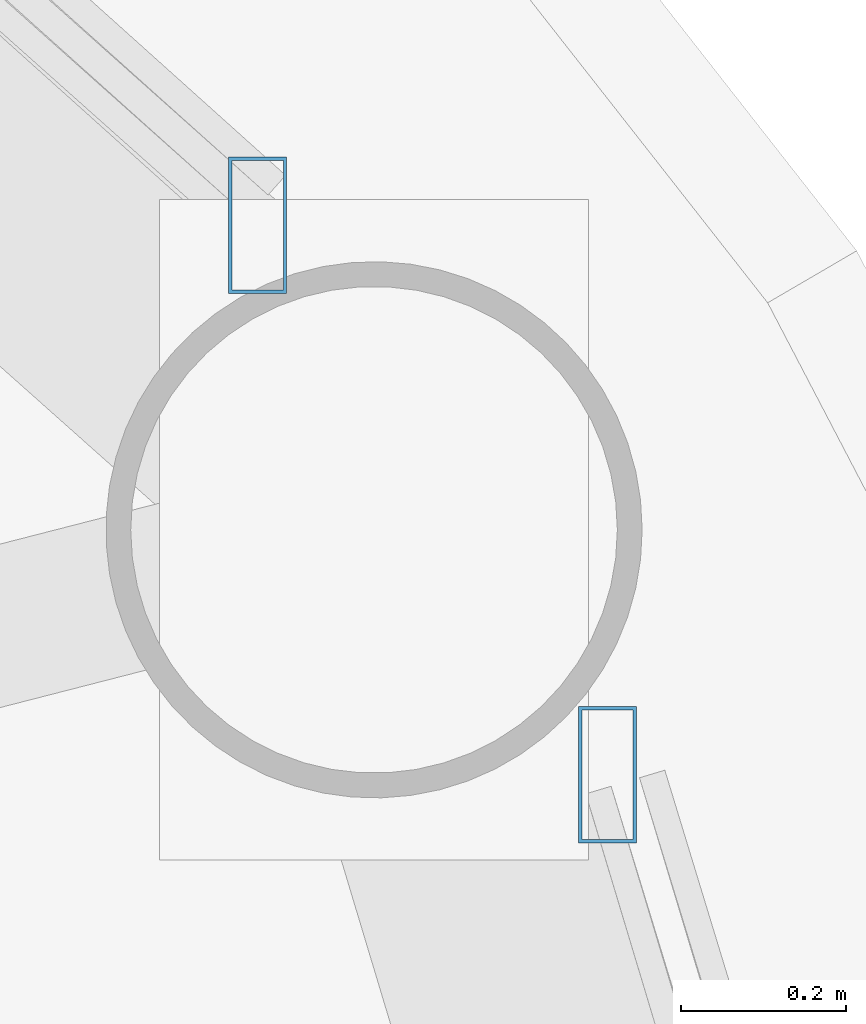
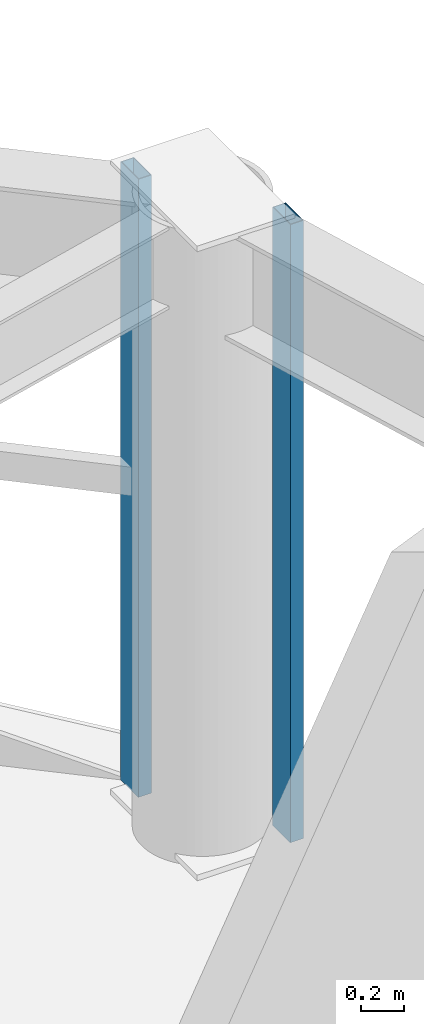
# One storey, part 16 of 30: 2 members, 2 elements without a shape of their own.
"""IFC4 building model written with IfcOpenShell, lengths in metres."""

import ifcopenshell
import ifcopenshell.guid

model = None  # the IFC model being written
_history = None  # IfcOwnerHistory: only IFC2X3 demands one
_inside = {}  # id of a spatial element -> (the spatial element, [elements in it])
_under = {}  # id of a project, library or spatial element -> (it, [spatial elements below it])
_declared = {}  # id of a project -> (the project, [libraries it declares])
_typed = {}  # id of a type object -> (the type object, [elements of that type])
_made_of = {}  # id of a material, layer set ... -> (it, [elements and type objects made of it])


def new_model(schema):
    """Start an empty IFC model of exactly this schema.

    Asked for "IFC4X3", IfcOpenShell would pick the latest addendum, in which some entities
    have other attributes; the version numbers below select the first issue.
    IFC2X3 requires an IfcOwnerHistory on every rooted entity: one is made here for all.
    """
    global model, _history
    if schema == "IFC4X3":
        model = ifcopenshell.file(schema_version=(4, 3, 0, 0))
    else:
        model = ifcopenshell.file(schema=schema)
    _inside.clear()
    _under.clear()
    _declared.clear()
    _typed.clear()
    _made_of.clear()
    _history = None
    if model.schema == "IFC2X3":
        org = make("IfcOrganization", Name="unknown")
        user = make(
            "IfcPersonAndOrganization",
            ThePerson=make("IfcPerson", FamilyName="unknown"),
            TheOrganization=org,
        )
        app = make(
            "IfcApplication",
            ApplicationDeveloper=org,
            Version="unknown",
            ApplicationFullName="unknown",
            ApplicationIdentifier="unknown",
        )
        _history = make(
            "IfcOwnerHistory",
            OwningUser=user,
            OwningApplication=app,
            ChangeAction="ADDED",
            CreationDate=0,
        )
    return model


def make(cls, **values):
    """One entity of the class cls with the attributes given. An attribute that is None is left unset."""
    return model.create_entity(
        cls, **{name: value for name, value in values.items() if value is not None}
    )


def rooted(cls, **values):
    """An entity with a GlobalId (a new one), such as an element, a storey or a relation."""
    return make(cls, GlobalId=ifcopenshell.guid.new(), OwnerHistory=_history, **values)


def si_unit(unit_type, name, prefix=None):
    """IfcSIUnit, for example si_unit("LENGTHUNIT", "METRE", prefix="MILLI")."""
    return make("IfcSIUnit", UnitType=unit_type, Prefix=prefix, Name=name)


def assignment(units):
    """IfcUnitAssignment: the units of a project."""
    return None if units is None else make("IfcUnitAssignment", Units=units)


def point(xyz):
    """IfcCartesianPoint."""
    return None if xyz is None else make("IfcCartesianPoint", Coordinates=xyz)


def direction(xyz):
    """IfcDirection."""
    return None if xyz is None else make("IfcDirection", DirectionRatios=xyz)


def frame(location, z_axis=None, x_axis=None):
    """IfcAxis2Placement3D, a coordinate frame: its origin and axes. An axis left out is left unset."""
    return make(
        "IfcAxis2Placement3D",
        Location=point(location),
        Axis=direction(z_axis),
        RefDirection=direction(x_axis),
    )


def frame_2d(location, x_axis=None):
    """IfcAxis2Placement2D, a coordinate frame in the plane: its origin and x axis."""
    return make(
        "IfcAxis2Placement2D", Location=point(location), RefDirection=direction(x_axis)
    )


def origin():
    """The frame at (0, 0, 0) with its axes left unset."""
    return frame((0.0, 0.0, 0.0))


def origin_2d():
    """The frame at (0, 0) in the plane with its x axis left unset."""
    return frame_2d((0.0, 0.0))


def place(relative_to, where):
    """IfcLocalPlacement: puts the frame where relative to a parent placement (None: the world)."""
    return make(
        "IfcLocalPlacement", PlacementRelTo=relative_to, RelativePlacement=where
    )


def context(
    kind, dimensions, precision=None, world=None, true_north=None, identifier=None
):
    """IfcGeometricRepresentationContext, for example the 3D "Model" context."""
    return make(
        "IfcGeometricRepresentationContext",
        ContextIdentifier=identifier,
        ContextType=kind,
        CoordinateSpaceDimension=dimensions,
        Precision=precision,
        WorldCoordinateSystem=world,
        TrueNorth=true_north,
    )


def subcontext(parent, identifier, kind, view, scale=None):
    """IfcGeometricRepresentationSubContext, for example "Body" below "Model"."""
    return make(
        "IfcGeometricRepresentationSubContext",
        ContextIdentifier=identifier,
        ContextType=kind,
        ParentContext=parent,
        TargetScale=scale,
        TargetView=view,
    )


def project(units=None, contexts=None):
    """IfcProject with its units and contexts."""
    return rooted(
        "IfcProject",
        Name="project",
        RepresentationContexts=contexts,
        UnitsInContext=assignment(units),
    )


def spatial(cls, under=None, at=None, **own):
    """A site, building, storey or space (cls), placed at a placement, below another one or the project."""
    s = rooted(cls, ObjectPlacement=at, **own)
    if under is not None:
        _under.setdefault(under.id(), (under, []))[1].append(s)
    return s


def profile(cls, at=None, kind="AREA", **sizes):
    """A parametric profile (cls). Its sizes go by their IFC names, for example OverallWidth=200.0."""
    return make(cls, ProfileType=kind, Position=at, **sizes)


def hollow_rectangle(**sizes):
    """IfcRectangleHollowProfileDef."""
    return profile("IfcRectangleHollowProfileDef", **sizes)


def extrude(swept, where, along, depth):
    """IfcExtrudedAreaSolid: the profile swept, set in the frame where, extruded along a direction by depth."""
    return make(
        "IfcExtrudedAreaSolid",
        SweptArea=swept,
        Position=where,
        ExtrudedDirection=direction(along),
        Depth=depth,
    )


def shape(context_of_items, identifier, shape_type, items):
    """IfcShapeRepresentation: the items that make up one representation, for example the "Body"."""
    return make(
        "IfcShapeRepresentation",
        ContextOfItems=context_of_items,
        RepresentationIdentifier=identifier,
        RepresentationType=shape_type,
        Items=items,
    )


def material(Name=None, Category=None):
    """IfcMaterial."""
    return make("IfcMaterial", Name=Name, Category=Category)


def layer(
    of_material, thickness, ventilated=None, Name=None, Category=None, Priority=None
):
    """IfcMaterialLayer: one layer of a wall or slab, of a material (None: an air gap)."""
    return make(
        "IfcMaterialLayer",
        Material=of_material,
        LayerThickness=thickness,
        IsVentilated=ventilated,
        Name=Name,
        Category=Category,
        Priority=Priority,
    )


def layer_set(layers, Name=None):
    """IfcMaterialLayerSet."""
    return make("IfcMaterialLayerSet", MaterialLayers=layers, LayerSetName=Name)


def material_profile(
    of_material, cross_section, Name=None, Category=None, Priority=None
):
    """IfcMaterialProfile: a cross section and its material."""
    return make(
        "IfcMaterialProfile",
        Name=Name,
        Material=of_material,
        Profile=cross_section,
        Priority=Priority,
        Category=Category,
    )


def profile_set(profiles, Name=None, composite=None):
    """IfcMaterialProfileSet."""
    return make(
        "IfcMaterialProfileSet",
        Name=Name,
        MaterialProfiles=profiles,
        CompositeProfile=composite,
    )


def made_of(thing, what):
    """Note that an element or type object is made of a material, layer set ...; save() writes the relation."""
    if what is not None:
        _made_of.setdefault(what.id(), (what, []))[1].append(thing)
    return thing


def type_object(cls, material=None, **own):
    """A type object (cls), such as IfcWallType, which elements share."""
    return made_of(rooted(cls, **own), material)


def element(
    cls,
    number,
    at=None,
    inside=None,
    cuts=None,
    type_object=None,
    material=None,
    context=None,
    identifier="Body",
    shape_type=None,
    held_by="IfcProductDefinitionShape",
    body=None,
    shapes=None,
    **own,
):
    """One element of the class cls, such as IfcWall. Its Tag is "e" and its number.

    at: its placement. inside: the storey or other place that contains it. cuts: it is an
    opening in that element (IfcRelVoidsElement). A single representation is given by context,
    identifier, shape_type and body (its items); several are given by shapes. held_by: the class
    of the entity that holds the representations. save() writes the other relations.
    """
    e = rooted(cls, Tag="e%d" % number, ObjectPlacement=at, **own)
    if body is not None:
        shapes = [shape(context, identifier, shape_type, body)]
    if shapes is not None:
        e.Representation = make(held_by, Representations=shapes)
    if inside is not None:
        _inside.setdefault(inside.id(), (inside, []))[1].append(e)
    if cuts is not None:
        rooted(
            "IfcRelVoidsElement", RelatingBuildingElement=cuts, RelatedOpeningElement=e
        )
    if type_object is not None:
        _typed.setdefault(type_object.id(), (type_object, []))[1].append(e)
    return made_of(e, material)


def aggregate(whole, parts):
    """IfcRelAggregates: a whole, such as a stair, and the parts it consists of."""
    return rooted("IfcRelAggregates", RelatingObject=whole, RelatedObjects=parts)


def save(model, path):
    """Write the relations noted so far, then the file.

    IfcRelAggregates (storeys below a building ...), IfcRelContainedInSpatialStructure (elements
    in a storey), IfcRelDefinesByType, IfcRelAssociatesMaterial and IfcRelDeclares: one each for
    every whole, place, type object, material and project.
    """
    for whole, parts in _under.values():
        aggregate(whole, parts)
    for where, things in _inside.values():
        rooted(
            "IfcRelContainedInSpatialStructure",
            RelatedElements=things,
            RelatingStructure=where,
        )
    for kind, things in _typed.values():
        rooted("IfcRelDefinesByType", RelatedObjects=things, RelatingType=kind)
    for what, things in _made_of.values():
        rooted("IfcRelAssociatesMaterial", RelatedObjects=things, RelatingMaterial=what)
    for by, libraries in _declared.values():
        rooted("IfcRelDeclares", RelatingContext=by, RelatedDefinitions=libraries)
    model.write(path)


model = new_model("IFC4")

# Units and contexts
model_context = context("Model", 3, precision=1e-05, world=origin(), true_north=direction((0.0, 1.0)))
body_context = subcontext(model_context, "Body", "Model", "MODEL_VIEW")
ifc_project = project(units=[si_unit("LENGTHUNIT", "METRE"), si_unit("AREAUNIT", "SQUARE_METRE"), si_unit("VOLUMEUNIT", "CUBIC_METRE"), si_unit("PLANEANGLEUNIT", "RADIAN"), si_unit("MASSUNIT", "GRAM", prefix="KILO")], contexts=[model_context])

# Site, building, storey
site_placement = place(None, origin())
site = spatial("IfcSite", under=ifc_project, at=site_placement, CompositionType="ELEMENT")
building_placement = place(site_placement, origin())
building = spatial("IfcBuilding", under=site, at=building_placement, Name="Vantalir Tower", CompositionType="ELEMENT")
storey_placement = place(building_placement, frame((0.0, 0.0, 201.14990234375)))
storey = spatial("IfcBuildingStorey", under=building, at=storey_placement, Name="L50", CompositionType="ELEMENT", Elevation=201.14990234375)

# Curtain wall, member
ifc_material_1 = material(Name="Champagne-silver PVDF aluminium and double-silver Low-E glass", Category="aluminium")
ifc_layer = layer(ifc_material_1, 0.2099609375)
ifc_layer_set = layer_set([ifc_layer], Name="Champagne-silver PVDF aluminium and double-silver Low-E glass")
curtain_wall_type = type_object("IfcCurtainWallType", Name="CW-DIAMOND-Z3", PredefinedType="USERDEFINED", material=ifc_layer_set)
curtain_wall_1_placement = place(storey_placement, origin())
curtain_wall_1 = element("IfcCurtainWall", 1, at=curtain_wall_1_placement, inside=storey, type_object=curtain_wall_type, Name="L50 Quilted Pyramid-Diamond Curtain Wall S01", ObjectType="UNITISED CURTAIN WALL", PredefinedType="USERDEFINED")
ifc_material_2 = material(Name="Champagne-silver PVDF aluminium 6063-T6", Category="aluminium")
ifc_material_profile = material_profile(ifc_material_2, hollow_rectangle(XDim=0.070068359375, YDim=0.1650390625, WallThickness=0.00390625, at=origin_2d()), Name="Champagne-silver PVDF aluminium 6063-T6")
ifc_profile_set = profile_set([ifc_material_profile], Name="Champagne-silver PVDF aluminium 6063-T6")
member_type = type_object("IfcMemberType", Name="CWM-165x70", PredefinedType="MULLION", material=ifc_profile_set)
member_1_placement = place(storey_placement, frame((51.166015625, 34.6650390625, 0.045166015625), z_axis=(0.0, 0.0, 1.0), x_axis=(1.0, 0.0, 0.0)))
member_1 = element("IfcMember", 2, at=member_1_placement, type_object=member_type, Name="CW-L50-S01 Mullion 2", PredefinedType="MULLION", context=body_context, shape_type="SweptSolid", body=[
    extrude(hollow_rectangle(XDim=0.070068359375, YDim=0.1650390625, WallThickness=0.00390625, at=origin_2d()), origin(), (0.0, 0.0, 1.0), 3.47998046875),
])
aggregate(curtain_wall_1, [member_1])

curtain_wall_2_placement = place(storey_placement, origin())
curtain_wall_2 = element("IfcCurtainWall", 3, at=curtain_wall_2_placement, inside=storey, type_object=curtain_wall_type, Name="L50 Quilted Pyramid-Diamond Curtain Wall S02", ObjectType="UNITISED CURTAIN WALL", PredefinedType="USERDEFINED")
member_2_placement = place(storey_placement, frame((50.741943359375, 35.3310546875, 0.045166015625), z_axis=(0.0, 0.0, 1.0), x_axis=(1.0, 0.0, 0.0)))
member_2 = element("IfcMember", 4, at=member_2_placement, type_object=member_type, Name="CW-L50-S02 Mullion 1", PredefinedType="MULLION", context=body_context, shape_type="SweptSolid", body=[
    extrude(hollow_rectangle(XDim=0.070068359375, YDim=0.1650390625, WallThickness=0.00390625, at=origin_2d()), origin(), (0.0, 0.0, 1.0), 3.47998046875),
])
aggregate(curtain_wall_2, [member_2])

save(model, "model.ifc")
